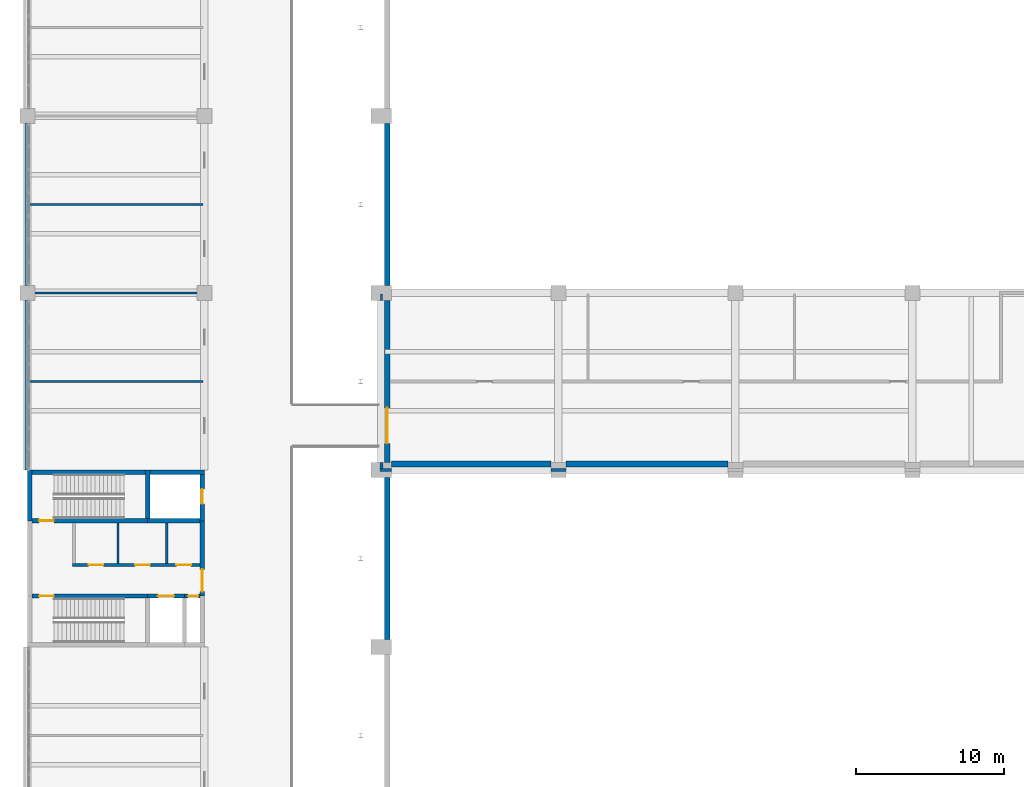
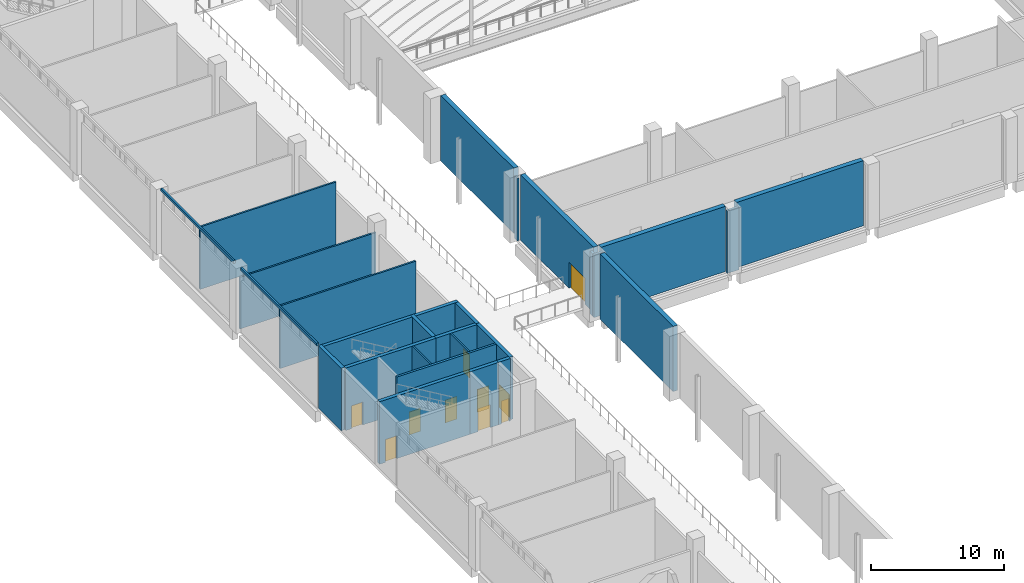
# One storey, part 54 of 72: 28 walls, 10 doors, 10 openings.
"""IFC4 building model written with IfcOpenShell, lengths in metres."""

from ifc_helpers import new_model, si_unit, direction, frame, frame_2d, origin, place, context, subcontext, project, spatial, rectangle, extrude, material, layer, layer_set, type_object, element, fill, save


model = new_model("IFC4")

# Units and contexts
model_context = context("Model", 3, precision=1e-05, world=origin(), true_north=direction((0.0, 1.0)))
body_context = subcontext(model_context, "Body", "Model", "MODEL_VIEW")
ifc_project = project(units=[si_unit("LENGTHUNIT", "METRE"), si_unit("AREAUNIT", "SQUARE_METRE"), si_unit("VOLUMEUNIT", "CUBIC_METRE"), si_unit("PLANEANGLEUNIT", "RADIAN"), si_unit("MASSUNIT", "GRAM", prefix="KILO")], contexts=[model_context])

# Site, building, storey
site_placement = place(None, origin())
site = spatial("IfcSite", under=ifc_project, at=site_placement, CompositionType="ELEMENT")
building_placement = place(site_placement, origin())
building = spatial("IfcBuilding", under=site, at=building_placement, Name="Lilac Gate Convention Centre", CompositionType="ELEMENT")
storey_placement = place(building_placement, frame((0.0, 0.0, 6.0)))
storey = spatial("IfcBuildingStorey", under=building, at=storey_placement, Name="L01", CompositionType="ELEMENT", Elevation=6.0)

# Wall
ifc_material_1 = material(Name="Concrete C30", Category="concrete")
ifc_layer_1 = layer(ifc_material_1, 0.39990234375)
ifc_layer_set_1 = layer_set([ifc_layer_1], Name="Concrete C30")
wall_type_1 = type_object("IfcWallType", Name="Hall fire wall 400", PredefinedType="SOLIDWALL", material=ifc_layer_set_1)
wall_1_placement = place(storey_placement, frame((30.39990234375, 90.5, 0.0), z_axis=(0.0, 0.0, 1.0), x_axis=(0.0, 1.0, 0.0)))
element("IfcWall", 1, at=wall_1_placement, inside=storey, type_object=wall_type_1, Name="Fire wall galleria FW L01 6", PredefinedType="SOLIDWALL", context=body_context, shape_type="SweptSolid", body=[
    extrude(rectangle(XDim=11.0, YDim=0.39990234375, at=frame_2d((5.5, 0.0))), origin(), (0.0, 0.0, 1.0), 6.0),
])

# Wall, opening, door
wall_2_placement = place(storey_placement, frame((30.39990234375, 102.5, 0.0), z_axis=(0.0, 0.0, 1.0), x_axis=(0.0, 1.0, 0.0)))
wall_2 = element("IfcWall", 2, at=wall_2_placement, inside=storey, type_object=wall_type_1, Name="Fire wall galleria FW L01 7", PredefinedType="SOLIDWALL", context=body_context, shape_type="SweptSolid", body=[
    extrude(rectangle(XDim=11.0, YDim=0.39990234375, at=frame_2d((5.5, 0.0))), origin(), (0.0, 0.0, 1.0), 6.0),
])
opening_1_placement = place(wall_2_placement, frame((1.300048828125, 0.0, 0.0)))
opening_1 = element("IfcOpeningElement", 3, at=opening_1_placement, cuts=wall_2, Name="Opening L01-027", PredefinedType="OPENING", context=body_context, shape_type="SweptSolid", body=[
    extrude(rectangle(XDim=2.39990234375, YDim=2.39990234375, at=frame_2d((1.199951171875, 1.199951171875))), frame((0.0, 0.2099609375, 0.0), z_axis=(0.0, -1.0, 0.0), x_axis=(1.0, 0.0, 0.0)), (0.0, 0.0, 1.0), 0.419921875),
])
ifc_material_2 = material(Name="Steel Q235B", Category="steel")
door_type_1 = type_object("IfcDoorType", Name="Door 2400 x 2400 double leaf FD90", OperationType="DOUBLE_DOOR_SINGLE_SWING", PredefinedType="DOOR", material=ifc_material_2)
door_1_placement = place(opening_1_placement, origin())
door_1 = element("IfcDoor", 4, at=door_1_placement, inside=storey, type_object=door_type_1, Name="Service spine door L01-027", OperationType="DOUBLE_DOOR_SINGLE_SWING", OverallHeight=2.39990234375, OverallWidth=2.39990234375, PredefinedType="DOOR", context=body_context, shape_type="SweptSolid", body=[
    extrude(rectangle(XDim=2.39990234375, YDim=2.39990234375, at=frame_2d((1.199951171875, 1.199951171875))), frame((0.0, 0.02490234375, 0.0), z_axis=(0.0, -1.0, 0.0), x_axis=(1.0, 0.0, 0.0)), (0.0, 0.0, 1.0), 0.050048828125),
])
fill(opening_1, door_1)

# Walls
wall_3_placement = place(storey_placement, frame((30.39990234375, 114.5, 0.0), z_axis=(0.0, 0.0, 1.0), x_axis=(0.0, 1.0, 0.0)))
element("IfcWall", 5, at=wall_3_placement, inside=storey, type_object=wall_type_1, Name="Fire wall galleria FW L01 8", PredefinedType="SOLIDWALL", context=body_context, shape_type="SweptSolid", body=[
    extrude(rectangle(XDim=11.0, YDim=0.39990234375, at=frame_2d((5.5, 0.0))), origin(), (0.0, 0.0, 1.0), 6.0),
])
wall_4_placement = place(storey_placement, frame((30.699951171875, 102.39990234375, 0.0), z_axis=(0.0, 0.0, 1.0), x_axis=(1.0, 0.0, 0.0)))
element("IfcWall", 6, at=wall_4_placement, inside=storey, type_object=wall_type_1, Name="Fire wall exhibition hall HN L01 1", PredefinedType="SOLIDWALL", context=body_context, shape_type="SweptSolid", body=[
    extrude(rectangle(XDim=10.800048828125, YDim=0.39990234375, at=frame_2d((5.39990234375, 0.0))), origin(), (0.0, 0.0, 1.0), 6.0),
])
wall_5_placement = place(storey_placement, frame((42.5, 102.39990234375, 0.0), z_axis=(0.0, 0.0, 1.0), x_axis=(1.0, 0.0, 0.0)))
element("IfcWall", 7, at=wall_5_placement, inside=storey, type_object=wall_type_1, Name="Fire wall exhibition hall HN L01 2", PredefinedType="SOLIDWALL", context=body_context, shape_type="SweptSolid", body=[
    extrude(rectangle(XDim=11.0, YDim=0.39990234375, at=frame_2d((5.5, 0.0))), origin(), (0.0, 0.0, 1.0), 6.0),
])
ifc_material_3 = material(Name="Fire-rated gypsum board on steel stud", Category="steel")
ifc_layer_2 = layer(ifc_material_3, 0.14990234375)
ifc_layer_set_2 = layer_set([ifc_layer_2], Name="Fire-rated gypsum board on steel stud")
wall_type_2 = type_object("IfcWallType", Name="Partition 150 fire-rated gypsum board EI 60", PredefinedType="PARTITIONING", material=ifc_layer_set_2)
wall_6_placement = place(storey_placement, frame((6.074951171875, 108.0, 0.0), z_axis=(0.0, 0.0, 1.0), x_axis=(1.0, 0.0, 0.0)))
element("IfcWall", 8, at=wall_6_placement, inside=storey, type_object=wall_type_2, Name="Partition 150 fire-rated gypsum board EI 60", PredefinedType="PARTITIONING", context=body_context, shape_type="SweptSolid", body=[
    extrude(rectangle(XDim=11.824951171875, YDim=0.14990234375, at=frame_2d((5.91259765625, 0.0))), origin(), (0.0, 0.0, 1.0), 5.75),
])
wall_7_placement = place(storey_placement, frame((6.074951171875, 114.0, 0.0), z_axis=(0.0, 0.0, 1.0), x_axis=(1.0, 0.0, 0.0)))
element("IfcWall", 9, at=wall_7_placement, inside=storey, type_object=wall_type_2, Name="Partition 150 fire-rated gypsum board EI 60", PredefinedType="PARTITIONING", context=body_context, shape_type="SweptSolid", body=[
    extrude(rectangle(XDim=11.824951171875, YDim=0.14990234375, at=frame_2d((5.91259765625, 0.0))), origin(), (0.0, 0.0, 1.0), 4.75),
])
wall_8_placement = place(storey_placement, frame((6.074951171875, 120.0, 0.0), z_axis=(0.0, 0.0, 1.0), x_axis=(1.0, 0.0, 0.0)))
element("IfcWall", 10, at=wall_8_placement, inside=storey, type_object=wall_type_2, Name="Partition 150 fire-rated gypsum board EI 60", PredefinedType="PARTITIONING", context=body_context, shape_type="SweptSolid", body=[
    extrude(rectangle(XDim=11.824951171875, YDim=0.14990234375, at=frame_2d((5.91259765625, 0.0))), origin(), (0.0, 0.0, 1.0), 5.75),
])
for number, where, z_axis, x_axis, name in (
    (11, (12.14990234375, 95.64990234375, 0.0), (0.0, 0.0, 1.0), (0.0, 1.0, 0.0), "Partition 150 fire-rated gypsum board EI 60"),
    (12, (15.449951171875, 95.64990234375, 0.0), (0.0, 0.0, 1.0), (0.0, 1.0, 0.0), "Partition 150 fire-rated gypsum board EI 60"),
):
    element("IfcWall", number, at=place(storey_placement, frame(where, z_axis=z_axis, x_axis=x_axis)), inside=storey, type_object=wall_type_2, Name=name, PredefinedType="PARTITIONING", context=body_context, shape_type="SweptSolid", body=[
        extrude(rectangle(XDim=2.75, YDim=0.14990234375, at=frame_2d((1.375, 0.0))), origin(), (0.0, 0.0, 1.0), 5.75),
    ])
wall_9_placement = place(storey_placement, frame((30.0, 113.5, 0.0), z_axis=(0.0, 0.0, 1.0), x_axis=(0.0, 1.0, 0.0)))
element("IfcWall", 13, at=wall_9_placement, inside=storey, type_object=wall_type_2, Name="Partition 150 fire-rated gypsum board EI 60", PredefinedType="PARTITIONING", context=body_context, shape_type="SweptSolid", body=[
    extrude(rectangle(XDim=0.425048828125, YDim=0.14990234375, at=frame_2d((0.21240234375, 0.0))), origin(), (0.0, 0.0, 1.0), 5.75),
])

# Wall, openings, doors
ifc_material_4 = material(Name="Clay brick masonry", Category="masonry")
ifc_layer_3 = layer(ifc_material_4, 0.199951171875)
ifc_layer_set_3 = layer_set([ifc_layer_3], Name="Clay brick masonry")
wall_type_3 = type_object("IfcWallType", Name="Partition 200 brick EI 60", PredefinedType="PARTITIONING", material=ifc_layer_set_3)
wall_10_placement = place(storey_placement, frame((9.050048828125, 95.550048828125, 0.0), z_axis=(0.0, 0.0, 1.0), x_axis=(1.0, 0.0, 0.0)))
wall_10 = element("IfcWall", 14, at=wall_10_placement, inside=storey, type_object=wall_type_3, Name="Partition 200 brick EI 60", PredefinedType="PARTITIONING", context=body_context, shape_type="SweptSolid", body=[
    extrude(rectangle(XDim=8.64990234375, YDim=0.199951171875, at=frame_2d((4.324951171875, 0.0))), origin(), (0.0, 0.0, 1.0), 5.75),
])
opening_2_placement = place(wall_10_placement, frame((1.10009765625, 0.0, 0.0)))
opening_2 = element("IfcOpeningElement", 15, at=opening_2_placement, cuts=wall_10, Name="Opening L01-021", PredefinedType="OPENING", context=body_context, shape_type="SweptSolid", body=[
    extrude(rectangle(XDim=1.0, YDim=2.10009765625, at=frame_2d((0.5, 1.050048828125))), frame((0.0, 0.10986328125, 0.0), z_axis=(0.0, -1.0, 0.0), x_axis=(1.0, 0.0, 0.0)), (0.0, 0.0, 1.0), 0.219970703125),
])
opening_3_placement = place(wall_10_placement, frame((4.25, 0.0, 0.0)))
opening_3 = element("IfcOpeningElement", 16, at=opening_3_placement, cuts=wall_10, Name="Opening L01-022", PredefinedType="OPENING", context=body_context, shape_type="SweptSolid", body=[
    extrude(rectangle(XDim=1.0, YDim=2.10009765625, at=frame_2d((0.5, 1.050048828125))), frame((0.0, 0.10986328125, 0.0), z_axis=(0.0, -1.0, 0.0), x_axis=(1.0, 0.0, 0.0)), (0.0, 0.0, 1.0), 0.219970703125),
])
opening_4_placement = place(wall_10_placement, frame((7.050048828125, 0.0, 0.0)))
opening_4 = element("IfcOpeningElement", 17, at=opening_4_placement, cuts=wall_10, Name="Opening L01-023", PredefinedType="OPENING", context=body_context, shape_type="SweptSolid", body=[
    extrude(rectangle(XDim=1.0, YDim=2.10009765625, at=frame_2d((0.5, 1.050048828125))), frame((0.0, 0.10986328125, 0.0), z_axis=(0.0, -1.0, 0.0), x_axis=(1.0, 0.0, 0.0)), (0.0, 0.0, 1.0), 0.219970703125),
])
ifc_material_5 = material(Name="Timber fire door leaf", Category="wood")
door_type_2 = type_object("IfcDoorType", Name="Door 1000 x 2100 single leaf FD30", OperationType="SINGLE_SWING_LEFT", PredefinedType="DOOR", material=ifc_material_5)
door_2_placement = place(opening_2_placement, origin())
door_2 = element("IfcDoor", 18, at=door_2_placement, inside=storey, type_object=door_type_2, Name="WC door L01-021", OperationType="SINGLE_SWING_RIGHT", OverallHeight=2.10009765625, OverallWidth=1.0, PredefinedType="DOOR", context=body_context, shape_type="SweptSolid", body=[
    extrude(rectangle(XDim=1.0, YDim=2.10009765625, at=frame_2d((0.5, 1.050048828125))), frame((0.0, 0.02490234375, 0.0), z_axis=(0.0, -1.0, 0.0), x_axis=(1.0, 0.0, 0.0)), (0.0, 0.0, 1.0), 0.050048828125),
])
fill(opening_2, door_2)
door_3_placement = place(opening_3_placement, origin())
door_3 = element("IfcDoor", 19, at=door_3_placement, inside=storey, type_object=door_type_2, Name="WC door L01-022", OperationType="SINGLE_SWING_LEFT", OverallHeight=2.10009765625, OverallWidth=1.0, PredefinedType="DOOR", context=body_context, shape_type="SweptSolid", body=[
    extrude(rectangle(XDim=1.0, YDim=2.10009765625, at=frame_2d((0.5, 1.050048828125))), frame((0.0, 0.02490234375, 0.0), z_axis=(0.0, -1.0, 0.0), x_axis=(1.0, 0.0, 0.0)), (0.0, 0.0, 1.0), 0.050048828125),
])
fill(opening_3, door_3)
door_4_placement = place(opening_4_placement, origin())
door_4 = element("IfcDoor", 20, at=door_4_placement, inside=storey, type_object=door_type_2, Name="Accessible WC door L01-023", OperationType="SINGLE_SWING_LEFT", OverallHeight=2.10009765625, OverallWidth=1.0, PredefinedType="DOOR", context=body_context, shape_type="SweptSolid", body=[
    extrude(rectangle(XDim=1.0, YDim=2.10009765625, at=frame_2d((0.5, 1.050048828125))), frame((0.0, 0.02490234375, 0.0), z_axis=(0.0, -1.0, 0.0), x_axis=(1.0, 0.0, 0.0)), (0.0, 0.0, 1.0), 0.050048828125),
])
fill(opening_4, door_4)

# Walls
wall_11_placement = place(storey_placement, frame((29.89990234375, 102.0, 0.0), z_axis=(0.0, 0.0, 1.0), x_axis=(1.0, 0.0, 0.0)))
element("IfcWall", 21, at=wall_11_placement, inside=storey, type_object=wall_type_3, Name="Partition 200 brick EI 60", PredefinedType="PARTITIONING", context=body_context, shape_type="SweptSolid", body=[
    extrude(rectangle(XDim=0.800048828125, YDim=0.199951171875, at=frame_2d((0.39990234375, 0.0))), origin(), (0.0, 0.0, 1.0), 5.75),
])
wall_12_placement = place(storey_placement, frame((41.5, 102.0, 0.0), z_axis=(0.0, 0.0, 1.0), x_axis=(1.0, 0.0, 0.0)))
element("IfcWall", 22, at=wall_12_placement, inside=storey, type_object=wall_type_3, Name="Partition 200 brick EI 60", PredefinedType="PARTITIONING", context=body_context, shape_type="SweptSolid", body=[
    extrude(rectangle(XDim=1.0, YDim=0.199951171875, at=frame_2d((0.5, 0.0))), origin(), (0.0, 0.0, 1.0), 5.75),
])
wall_13_placement = place(storey_placement, frame((30.0, 102.10009765625, 0.0), z_axis=(0.0, 0.0, 1.0), x_axis=(0.0, 1.0, 0.0)))
element("IfcWall", 23, at=wall_13_placement, inside=storey, type_object=wall_type_3, Name="Partition 200 brick EI 60", PredefinedType="PARTITIONING", context=body_context, shape_type="SweptSolid", body=[
    extrude(rectangle(XDim=0.39990234375, YDim=0.199951171875, at=frame_2d((0.199951171875, 0.0))), origin(), (0.0, 0.0, 1.0), 5.75),
])
ifc_material_6 = material(Name="Concrete C40 precast", Category="concrete")
ifc_layer_4 = layer(ifc_material_6, 0.1298828125)
ifc_material_7 = material(Name="Ochre mineral render")
ifc_layer_5 = layer(ifc_material_7, 0.02001953125)
ifc_layer_set_4 = layer_set([ifc_layer_4, ifc_layer_5], Name="Concrete C40 precast, Ochre mineral render")
wall_type_4 = type_object("IfcWallType", Name="Precast band ochre 150", PredefinedType="STANDARD", material=ifc_layer_set_4)
wall_14_placement = place(storey_placement, frame((5.925048828125, 125.5, 5.75), z_axis=(0.0, 0.0, 1.0), x_axis=(0.0, -1.0, 0.0)))
element("IfcWall", 24, at=wall_14_placement, inside=storey, type_object=wall_type_4, Name="Precast band PW L01 7", PredefinedType="STANDARD", context=body_context, shape_type="SweptSolid", body=[
    extrude(rectangle(XDim=11.0, YDim=0.14990234375, at=frame_2d((5.5, 0.0))), origin(), (0.0, 0.0, 1.0), 0.25),
])
wall_15_placement = place(storey_placement, frame((5.925048828125, 113.5, 5.75), z_axis=(0.0, 0.0, 1.0), x_axis=(0.0, -1.0, 0.0)))
element("IfcWall", 25, at=wall_15_placement, inside=storey, type_object=wall_type_4, Name="Precast band PW L01 8", PredefinedType="STANDARD", context=body_context, shape_type="SweptSolid", body=[
    extrude(rectangle(XDim=11.5, YDim=0.14990234375, at=frame_2d((5.75, 0.0))), origin(), (0.0, 0.0, 1.0), 0.25),
])
ifc_material_8 = material(Name="Concrete C40", Category="concrete")
ifc_layer_6 = layer(ifc_material_8, 0.300048828125)
ifc_layer_set_5 = layer_set([ifc_layer_6], Name="Concrete C40")
wall_type_5 = type_object("IfcWallType", Name="Shear wall 300 C40", PredefinedType="SHEAR", material=ifc_layer_set_5)
wall_16_placement = place(storey_placement, frame((6.0, 101.85009765625, 0.0), z_axis=(0.0, 0.0, 1.0), x_axis=(1.0, 0.0, 0.0)))
element("IfcWall", 26, at=wall_16_placement, inside=storey, type_object=wall_type_5, Name="SW1 shear wall W2 L01 4", PredefinedType="SHEAR", context=body_context, shape_type="SweptSolid", body=[
    extrude(rectangle(XDim=8.14990234375, YDim=0.300048828125, at=frame_2d((4.074951171875, 0.0))), origin(), (0.0, 0.0, 1.0), 5.75),
])
wall_17_placement = place(storey_placement, frame((14.14990234375, 101.85009765625, 0.0), z_axis=(0.0, 0.0, 1.0), x_axis=(1.0, 0.0, 0.0)))
element("IfcWall", 27, at=wall_17_placement, inside=storey, type_object=wall_type_5, Name="SW1 shear wall W2 L01 5", PredefinedType="SHEAR", context=body_context, shape_type="SweptSolid", body=[
    extrude(rectangle(XDim=3.85009765625, YDim=0.300048828125, at=frame_2d((1.925048828125, 0.0))), origin(), (0.0, 0.0, 1.0), 5.75),
])

# Wall, opening, door
wall_18_placement = place(storey_placement, frame((6.300048828125, 93.449951171875, 0.0), z_axis=(0.0, 0.0, 1.0), x_axis=(1.0, 0.0, 0.0)))
wall_18 = element("IfcWall", 28, at=wall_18_placement, inside=storey, type_object=wall_type_5, Name="SW1 shear wall W2 L01 6", PredefinedType="SHEAR", context=body_context, shape_type="SweptSolid", body=[
    extrude(rectangle(XDim=7.849853515625, YDim=0.300048828125, at=frame_2d((3.9248046875, 0.0))), origin(), (0.0, 0.0, 1.0), 5.75),
])
opening_5_placement = place(wall_18_placement, frame((0.5, 0.0, 0.0)))
opening_5 = element("IfcOpeningElement", 29, at=opening_5_placement, cuts=wall_18, Name="Opening L01-018", PredefinedType="OPENING", context=body_context, shape_type="SweptSolid", body=[
    extrude(rectangle(XDim=1.0, YDim=2.10009765625, at=frame_2d((0.5, 1.050048828125))), frame((0.0, 0.159912109375, 0.0), z_axis=(0.0, -1.0, 0.0), x_axis=(1.0, 0.0, 0.0)), (0.0, 0.0, 1.0), 0.320068359375),
])
door_type_3 = type_object("IfcDoorType", Name="Door 1000 x 2100 single leaf FD60", OperationType="SINGLE_SWING_LEFT", PredefinedType="DOOR", material=ifc_material_5)
door_5_placement = place(opening_5_placement, frame((1.0, 0.0, 0.0), z_axis=(0.0, 0.0, 1.0), x_axis=(-1.0, 0.0, 0.0)))
door_5 = element("IfcDoor", 30, at=door_5_placement, inside=storey, type_object=door_type_3, Name="Stair door L01-018", OperationType="SINGLE_SWING_LEFT", OverallHeight=2.10009765625, OverallWidth=1.0, PredefinedType="DOOR", context=body_context, shape_type="SweptSolid", body=[
    extrude(rectangle(XDim=1.0, YDim=2.10009765625, at=frame_2d((0.5, 1.050048828125))), frame((0.0, 0.02490234375, 0.0), z_axis=(0.0, -1.0, 0.0), x_axis=(1.0, 0.0, 0.0)), (0.0, 0.0, 1.0), 0.050048828125),
])
fill(opening_5, door_5)

wall_19_placement = place(storey_placement, frame((14.14990234375, 93.449951171875, 0.0), z_axis=(0.0, 0.0, 1.0), x_axis=(1.0, 0.0, 0.0)))
wall_19 = element("IfcWall", 31, at=wall_19_placement, inside=storey, type_object=wall_type_5, Name="SW1 shear wall W2 L01 7", PredefinedType="SHEAR", context=body_context, shape_type="SweptSolid", body=[
    extrude(rectangle(XDim=2.5, YDim=0.300048828125, at=frame_2d((1.25, 0.0))), origin(), (0.0, 0.0, 1.0), 5.75),
])
opening_6_placement = place(wall_19_placement, frame((0.699951171875, 0.0, 0.0)))
opening_6 = element("IfcOpeningElement", 32, at=opening_6_placement, cuts=wall_19, Name="Opening LDW2-01", PredefinedType="OPENING", context=body_context, shape_type="SweptSolid", body=[
    extrude(rectangle(XDim=1.10009765625, YDim=2.10009765625, at=frame_2d((0.550048828125, 1.050048828125))), frame((0.0, 0.159912109375, 0.0), z_axis=(0.0, -1.0, 0.0), x_axis=(1.0, 0.0, 0.0)), (0.0, 0.0, 1.0), 0.320068359375),
])
ifc_material_9 = material(Name="Stainless steel 304", Category="steel")
door_type_4 = type_object("IfcDoorType", Name="Lift landing door 1100 x 2100", OperationType="SLIDING_TO_LEFT", PredefinedType="DOOR", material=ifc_material_9)
door_6_placement = place(opening_6_placement, origin())
door_6 = element("IfcDoor", 33, at=door_6_placement, inside=storey, type_object=door_type_4, Name="Lift landing door LDW2-01", OperationType="SLIDING_TO_LEFT", OverallHeight=2.10009765625, OverallWidth=1.10009765625, PredefinedType="DOOR", context=body_context, shape_type="SweptSolid", body=[
    extrude(rectangle(XDim=1.10009765625, YDim=2.10009765625, at=frame_2d((0.550048828125, 1.050048828125))), frame((0.0, 0.02490234375, 0.0), z_axis=(0.0, -1.0, 0.0), x_axis=(1.0, 0.0, 0.0)), (0.0, 0.0, 1.0), 0.050048828125),
])
fill(opening_6, door_6)

wall_20_placement = place(storey_placement, frame((16.64990234375, 93.449951171875, 0.0), z_axis=(0.0, 0.0, 1.0), x_axis=(1.0, 0.0, 0.0)))
wall_20 = element("IfcWall", 34, at=wall_20_placement, inside=storey, type_object=wall_type_5, Name="SW1 shear wall W2 L01 8", PredefinedType="SHEAR", context=body_context, shape_type="SweptSolid", body=[
    extrude(rectangle(XDim=1.050048828125, YDim=0.300048828125, at=frame_2d((0.52490234375, 0.0))), origin(), (0.0, 0.0, 1.0), 5.75),
])
opening_7_placement = place(wall_20_placement, frame((0.25, 0.0, 0.0)))
opening_7 = element("IfcOpeningElement", 35, at=opening_7_placement, cuts=wall_20, Name="Opening L01-019", PredefinedType="OPENING", context=body_context, shape_type="SweptSolid", body=[
    extrude(rectangle(XDim=0.699951171875, YDim=2.10009765625, at=frame_2d((0.35009765625, 1.050048828125))), frame((0.0, 0.159912109375, 0.0), z_axis=(0.0, -1.0, 0.0), x_axis=(1.0, 0.0, 0.0)), (0.0, 0.0, 1.0), 0.320068359375),
])
door_type_5 = type_object("IfcDoorType", Name="Door 700 x 2100 single leaf FD30", OperationType="SINGLE_SWING_LEFT", PredefinedType="DOOR", material=ifc_material_5)
door_7_placement = place(opening_7_placement, frame((0.699951171875, 0.0, 0.0), z_axis=(0.0, 0.0, 1.0), x_axis=(-1.0, 0.0, 0.0)))
door_7 = element("IfcDoor", 36, at=door_7_placement, inside=storey, type_object=door_type_5, Name="Riser access door L01-019", OperationType="SINGLE_SWING_LEFT", OverallHeight=2.10009765625, OverallWidth=0.699951171875, PredefinedType="DOOR", context=body_context, shape_type="SweptSolid", body=[
    extrude(rectangle(XDim=0.699951171875, YDim=2.10009765625, at=frame_2d((0.35009765625, 1.050048828125))), frame((0.0, 0.02490234375, 0.0), z_axis=(0.0, -1.0, 0.0), x_axis=(1.0, 0.0, 0.0)), (0.0, 0.0, 1.0), 0.050048828125),
])
fill(opening_7, door_7)

wall_21_placement = place(storey_placement, frame((6.300048828125, 98.550048828125, 0.0), z_axis=(0.0, 0.0, 1.0), x_axis=(1.0, 0.0, 0.0)))
wall_21 = element("IfcWall", 37, at=wall_21_placement, inside=storey, type_object=wall_type_5, Name="SW1 shear wall W2 L01 9", PredefinedType="SHEAR", context=body_context, shape_type="SweptSolid", body=[
    extrude(rectangle(XDim=7.849853515625, YDim=0.300048828125, at=frame_2d((3.9248046875, 0.0))), origin(), (0.0, 0.0, 1.0), 5.75),
])
opening_8_placement = place(wall_21_placement, frame((0.5, 0.0, 0.0)))
opening_8 = element("IfcOpeningElement", 38, at=opening_8_placement, cuts=wall_21, Name="Opening L01-024", PredefinedType="OPENING", context=body_context, shape_type="SweptSolid", body=[
    extrude(rectangle(XDim=1.0, YDim=2.10009765625, at=frame_2d((0.5, 1.050048828125))), frame((0.0, 0.159912109375, 0.0), z_axis=(0.0, -1.0, 0.0), x_axis=(1.0, 0.0, 0.0)), (0.0, 0.0, 1.0), 0.320068359375),
])
door_8_placement = place(opening_8_placement, origin())
door_8 = element("IfcDoor", 39, at=door_8_placement, inside=storey, type_object=door_type_3, Name="Stair door L01-024", OperationType="SINGLE_SWING_RIGHT", OverallHeight=2.10009765625, OverallWidth=1.0, PredefinedType="DOOR", context=body_context, shape_type="SweptSolid", body=[
    extrude(rectangle(XDim=1.0, YDim=2.10009765625, at=frame_2d((0.5, 1.050048828125))), frame((0.0, 0.02490234375, 0.0), z_axis=(0.0, -1.0, 0.0), x_axis=(1.0, 0.0, 0.0)), (0.0, 0.0, 1.0), 0.050048828125),
])
fill(opening_8, door_8)

# Walls
wall_22_placement = place(storey_placement, frame((14.14990234375, 98.550048828125, 0.0), z_axis=(0.0, 0.0, 1.0), x_axis=(1.0, 0.0, 0.0)))
element("IfcWall", 40, at=wall_22_placement, inside=storey, type_object=wall_type_5, Name="SW1 shear wall W2 L01 10", PredefinedType="SHEAR", context=body_context, shape_type="SweptSolid", body=[
    extrude(rectangle(XDim=3.550048828125, YDim=0.300048828125, at=frame_2d((1.77490234375, 0.0))), origin(), (0.0, 0.0, 1.0), 5.75),
])
wall_23_placement = place(storey_placement, frame((6.14990234375, 98.550048828125, 0.0), z_axis=(0.0, 0.0, 1.0), x_axis=(0.0, 1.0, 0.0)))
element("IfcWall", 41, at=wall_23_placement, inside=storey, type_object=wall_type_5, Name="SW1 shear wall W2 L01 13", PredefinedType="SHEAR", context=body_context, shape_type="SweptSolid", body=[
    extrude(rectangle(XDim=3.449951171875, YDim=0.300048828125, at=frame_2d((1.72509765625, 0.0))), origin(), (0.0, 0.0, 1.0), 5.75),
])

# Wall, opening, door
wall_24_placement = place(storey_placement, frame((17.85009765625, 93.449951171875, 0.0), z_axis=(0.0, 0.0, 1.0), x_axis=(0.0, 1.0, 0.0)))
wall_24 = element("IfcWall", 42, at=wall_24_placement, inside=storey, type_object=wall_type_5, Name="SW1 shear wall W2 L01 15", PredefinedType="SHEAR", context=body_context, shape_type="SweptSolid", body=[
    extrude(rectangle(XDim=5.10009765625, YDim=0.300048828125, at=frame_2d((2.550048828125, 0.0))), origin(), (0.0, 0.0, 1.0), 5.75),
])
opening_9_placement = place(wall_24_placement, frame((0.300048828125, 0.0, 0.0)))
opening_9 = element("IfcOpeningElement", 43, at=opening_9_placement, cuts=wall_24, Name="Opening L01-020", PredefinedType="OPENING", context=body_context, shape_type="SweptSolid", body=[
    extrude(rectangle(XDim=1.5, YDim=2.10009765625, at=frame_2d((0.75, 1.050048828125))), frame((0.0, 0.159912109375, 0.0), z_axis=(0.0, -1.0, 0.0), x_axis=(1.0, 0.0, 0.0)), (0.0, 0.0, 1.0), 0.320068359375),
])
door_type_6 = type_object("IfcDoorType", Name="Door 1500 x 2100 double leaf FD30", OperationType="DOUBLE_DOOR_SINGLE_SWING", PredefinedType="DOOR", material=ifc_material_5)
door_9_placement = place(opening_9_placement, origin())
door_9 = element("IfcDoor", 44, at=door_9_placement, inside=storey, type_object=door_type_6, Name="Lobby door L01-020", OperationType="DOUBLE_DOOR_SINGLE_SWING", OverallHeight=2.10009765625, OverallWidth=1.5, PredefinedType="DOOR", context=body_context, shape_type="SweptSolid", body=[
    extrude(rectangle(XDim=1.5, YDim=2.10009765625, at=frame_2d((0.75, 1.050048828125))), frame((0.0, 0.02490234375, 0.0), z_axis=(0.0, -1.0, 0.0), x_axis=(1.0, 0.0, 0.0)), (0.0, 0.0, 1.0), 0.050048828125),
])
fill(opening_9, door_9)

wall_25_placement = place(storey_placement, frame((17.85009765625, 98.550048828125, 0.0), z_axis=(0.0, 0.0, 1.0), x_axis=(0.0, 1.0, 0.0)))
wall_25 = element("IfcWall", 45, at=wall_25_placement, inside=storey, type_object=wall_type_5, Name="SW1 shear wall W2 L01 16", PredefinedType="SHEAR", context=body_context, shape_type="SweptSolid", body=[
    extrude(rectangle(XDim=3.14990234375, YDim=0.300048828125, at=frame_2d((1.574951171875, 0.0))), origin(), (0.0, 0.0, 1.0), 5.75),
])
opening_10_placement = place(wall_25_placement, frame((1.14990234375, 0.0, 0.0)))
opening_10 = element("IfcOpeningElement", 46, at=opening_10_placement, cuts=wall_25, Name="Opening L01-025", PredefinedType="OPENING", context=body_context, shape_type="SweptSolid", body=[
    extrude(rectangle(XDim=1.0, YDim=2.10009765625, at=frame_2d((0.5, 1.050048828125))), frame((0.0, 0.159912109375, 0.0), z_axis=(0.0, -1.0, 0.0), x_axis=(1.0, 0.0, 0.0)), (0.0, 0.0, 1.0), 0.320068359375),
])
door_10_placement = place(opening_10_placement, origin())
door_10 = element("IfcDoor", 47, at=door_10_placement, inside=storey, type_object=door_type_2, Name="Riser access door L01-025", OperationType="SINGLE_SWING_RIGHT", OverallHeight=2.10009765625, OverallWidth=1.0, PredefinedType="DOOR", context=body_context, shape_type="SweptSolid", body=[
    extrude(rectangle(XDim=1.0, YDim=2.10009765625, at=frame_2d((0.5, 1.050048828125))), frame((0.0, 0.02490234375, 0.0), z_axis=(0.0, -1.0, 0.0), x_axis=(1.0, 0.0, 0.0)), (0.0, 0.0, 1.0), 0.050048828125),
])
fill(opening_10, door_10)

# Wall
wall_26_placement = place(storey_placement, frame((14.14990234375, 98.699951171875, 0.0), z_axis=(0.0, 0.0, 1.0), x_axis=(0.0, 1.0, 0.0)))
element("IfcWall", 48, at=wall_26_placement, inside=storey, type_object=wall_type_5, Name="SW1 shear wall W2 L01 18", PredefinedType="SHEAR", context=body_context, shape_type="SweptSolid", body=[
    extrude(rectangle(XDim=3.300048828125, YDim=0.300048828125, at=frame_2d((1.64990234375, 0.0))), origin(), (0.0, 0.0, 1.0), 5.75),
])

save(model, "model.ifc")
